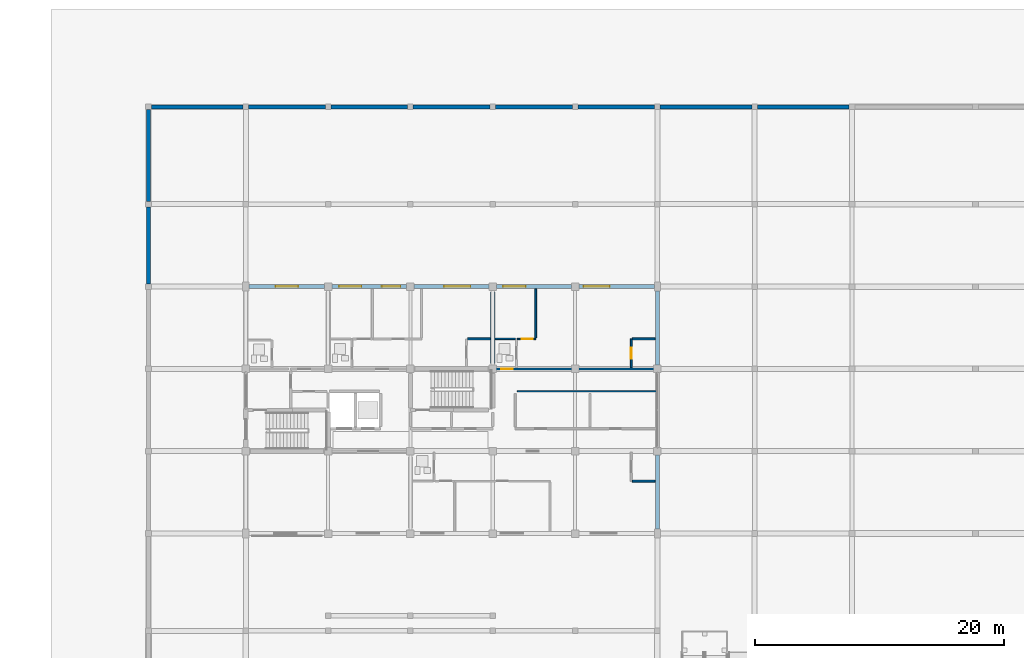
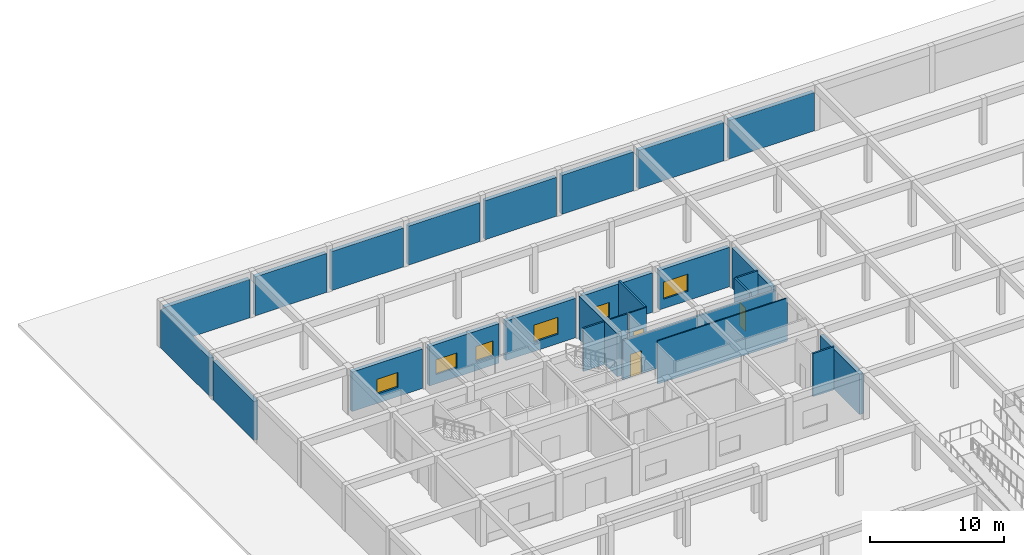
# One storey, part 56 of 75: 27 walls, 6 windows, 3 doors, 9 openings.
"""IFC4 building model written with IfcOpenShell, lengths in metres."""

from ifc_helpers import new_model, si_unit, direction, frame, frame_2d, origin, place, context, subcontext, project, spatial, rectangle, extrude, material, layer, layer_set, type_object, element, fill, save


model = new_model("IFC4")

# Units and contexts
model_context = context("Model", 3, precision=1e-05, world=origin(), true_north=direction((0.0, 1.0)))
body_context = subcontext(model_context, "Body", "Model", "MODEL_VIEW")
ifc_project = project(units=[si_unit("LENGTHUNIT", "METRE"), si_unit("AREAUNIT", "SQUARE_METRE"), si_unit("VOLUMEUNIT", "CUBIC_METRE"), si_unit("PLANEANGLEUNIT", "RADIAN"), si_unit("MASSUNIT", "GRAM", prefix="KILO")], contexts=[model_context])

# Site, building, storey
site_placement = place(None, origin())
site = spatial("IfcSite", under=ifc_project, at=site_placement, CompositionType="ELEMENT")
building_placement = place(site_placement, origin())
building = spatial("IfcBuilding", under=site, at=building_placement, Name="Kernevlak Ridge Housing Community", CompositionType="ELEMENT")
storey_placement = place(building_placement, origin())
storey = spatial("IfcBuildingStorey", under=building, at=storey_placement, Name="L00", CompositionType="ELEMENT", Elevation=0.0)

# Wall, opening, window
ifc_material_1 = material(Name="Concrete block masonry M10", Category="masonry")
ifc_layer_1 = layer(ifc_material_1, 0.340087890625, Name="Concrete block masonry M10")
ifc_layer_set_1 = layer_set([ifc_layer_1], Name="Concrete block masonry M10")
wall_type_1 = type_object("IfcWallType", Name="EW-04", PredefinedType="STANDARD", material=ifc_layer_set_1)
wall_1_placement = place(storey_placement, frame((15.85009765625, 95.800048828125, 0.0), z_axis=(0.0, 0.0, 1.0), x_axis=(1.0, 0.0, 0.0)))
wall_1 = element("IfcWall", 1, at=wall_1_placement, inside=storey, type_object=wall_type_1, Name="Exterior wall EW-04 L00 6", PredefinedType="STANDARD", context=body_context, shape_type="SweptSolid", body=[
    extrude(rectangle(XDim=6.0498046875, YDim=0.340087890625, at=frame_2d((3.02490234375, 0.0))), origin(), (0.0, 0.0, 1.0), 3.60009765625),
])
opening_1_placement = place(wall_1_placement, frame((2.14990234375, 0.0, 0.85009765625)))
opening_1 = element("IfcOpeningElement", 2, at=opening_1_placement, cuts=wall_1, Name="Opening WT-03", PredefinedType="OPENING", context=body_context, shape_type="SweptSolid", body=[
    extrude(rectangle(XDim=1.800048828125, YDim=1.35009765625, at=frame_2d((0.89990234375, 0.675048828125))), frame((0.0, 0.179931640625, 0.0), z_axis=(0.0, -1.0, 0.0), x_axis=(1.0, 0.0, 0.0)), (0.0, 0.0, 1.0), 0.360107421875),
])
ifc_material_2 = material(Name="Aluminium EN AW-6060 anodised and laminated glass", Category="aluminium")
window_type_1 = type_object("IfcWindowType", Name="WT-03", PartitioningType="SINGLE_PANEL", PredefinedType="WINDOW", material=ifc_material_2)
window_1_placement = place(opening_1_placement, origin())
window_1 = element("IfcWindow", 3, at=window_1_placement, inside=storey, type_object=window_type_1, Name="Window WT-03 L00 4", OverallHeight=1.35009765625, OverallWidth=1.800048828125, PartitioningType="SINGLE_PANEL", PredefinedType="WINDOW", context=body_context, shape_type="SweptSolid", body=[
    extrude(rectangle(XDim=1.800048828125, YDim=1.35009765625, at=frame_2d((0.89990234375, 0.675048828125))), frame((0.0, 0.030029296875, 0.0), z_axis=(0.0, -1.0, 0.0), x_axis=(1.0, 0.0, 0.0)), (0.0, 0.0, 1.0), 0.06005859375),
])
fill(opening_1, window_1)

# Wall, openings, windows
wall_2_placement = place(storey_placement, frame((22.5, 95.800048828125, 0.0), z_axis=(0.0, 0.0, 1.0), x_axis=(1.0, 0.0, 0.0)))
wall_2 = element("IfcWall", 4, at=wall_2_placement, inside=storey, type_object=wall_type_1, Name="Exterior wall EW-04 L00 7", PredefinedType="STANDARD", context=body_context, shape_type="SweptSolid", body=[
    extrude(rectangle(XDim=6.0, YDim=0.340087890625, at=frame_2d((3.0, 0.0))), origin(), (0.0, 0.0, 1.0), 3.60009765625),
])
opening_2_placement = place(wall_2_placement, frame((0.574951171875, 0.0, 0.85009765625)))
opening_2 = element("IfcOpeningElement", 5, at=opening_2_placement, cuts=wall_2, Name="Opening WT-03", PredefinedType="OPENING", context=body_context, shape_type="SweptSolid", body=[
    extrude(rectangle(XDim=1.800048828125, YDim=1.35009765625, at=frame_2d((0.89990234375, 0.675048828125))), frame((0.0, 0.179931640625, 0.0), z_axis=(0.0, -1.0, 0.0), x_axis=(1.0, 0.0, 0.0)), (0.0, 0.0, 1.0), 0.360107421875),
])
opening_3_placement = place(wall_2_placement, frame((4.0, 0.0, 0.85009765625)))
opening_3 = element("IfcOpeningElement", 6, at=opening_3_placement, cuts=wall_2, Name="Opening WT-02", PredefinedType="OPENING", context=body_context, shape_type="SweptSolid", body=[
    extrude(rectangle(XDim=1.5, YDim=1.35009765625, at=frame_2d((0.75, 0.675048828125))), frame((0.0, 0.179931640625, 0.0), z_axis=(0.0, -1.0, 0.0), x_axis=(1.0, 0.0, 0.0)), (0.0, 0.0, 1.0), 0.360107421875),
])
window_type_2 = type_object("IfcWindowType", Name="WT-02", PartitioningType="SINGLE_PANEL", PredefinedType="WINDOW", material=ifc_material_2)
window_2_placement = place(opening_3_placement, origin())
window_2 = element("IfcWindow", 7, at=window_2_placement, inside=storey, type_object=window_type_2, Name="Window WT-02 L00 6", OverallHeight=1.35009765625, OverallWidth=1.5, PartitioningType="SINGLE_PANEL", PredefinedType="WINDOW", context=body_context, shape_type="SweptSolid", body=[
    extrude(rectangle(XDim=1.5, YDim=1.35009765625, at=frame_2d((0.75, 0.675048828125))), frame((0.0, 0.030029296875, 0.0), z_axis=(0.0, -1.0, 0.0), x_axis=(1.0, 0.0, 0.0)), (0.0, 0.0, 1.0), 0.06005859375),
])
fill(opening_3, window_2)
window_3_placement = place(opening_2_placement, origin())
window_3 = element("IfcWindow", 8, at=window_3_placement, inside=storey, type_object=window_type_1, Name="Window WT-03 L00 5", OverallHeight=1.35009765625, OverallWidth=1.800048828125, PartitioningType="SINGLE_PANEL", PredefinedType="WINDOW", context=body_context, shape_type="SweptSolid", body=[
    extrude(rectangle(XDim=1.800048828125, YDim=1.35009765625, at=frame_2d((0.89990234375, 0.675048828125))), frame((0.0, 0.030029296875, 0.0), z_axis=(0.0, -1.0, 0.0), x_axis=(1.0, 0.0, 0.0)), (0.0, 0.0, 1.0), 0.06005859375),
])
fill(opening_2, window_3)

# Wall, opening, window
wall_3_placement = place(storey_placement, frame((29.10009765625, 95.800048828125, 0.0), z_axis=(0.0, 0.0, 1.0), x_axis=(1.0, 0.0, 0.0)))
wall_3 = element("IfcWall", 9, at=wall_3_placement, inside=storey, type_object=wall_type_1, Name="Exterior wall EW-04 L00 8", PredefinedType="STANDARD", context=body_context, shape_type="SweptSolid", body=[
    extrude(rectangle(XDim=6.0, YDim=0.340087890625, at=frame_2d((3.0, 0.0))), origin(), (0.0, 0.0, 1.0), 3.60009765625),
])
opening_4_placement = place(wall_3_placement, frame((2.39599609375, 0.0, 0.85009765625)))
opening_4 = element("IfcOpeningElement", 10, at=opening_4_placement, cuts=wall_3, Name="Opening WT-05", PredefinedType="OPENING", context=body_context, shape_type="SweptSolid", body=[
    extrude(rectangle(XDim=2.10009765625, YDim=1.550048828125, at=frame_2d((1.050048828125, 0.77490234375))), frame((0.0, 0.179931640625, 0.0), z_axis=(0.0, -1.0, 0.0), x_axis=(1.0, 0.0, 0.0)), (0.0, 0.0, 1.0), 0.360107421875),
])
window_type_3 = type_object("IfcWindowType", Name="WT-05", PartitioningType="SINGLE_PANEL", PredefinedType="WINDOW", material=ifc_material_2)
window_4_placement = place(opening_4_placement, origin())
window_4 = element("IfcWindow", 11, at=window_4_placement, inside=storey, type_object=window_type_3, Name="Window WT-05 L00 7", OverallHeight=1.550048828125, OverallWidth=2.10009765625, PartitioningType="SINGLE_PANEL", PredefinedType="WINDOW", context=body_context, shape_type="SweptSolid", body=[
    extrude(rectangle(XDim=2.10009765625, YDim=1.550048828125, at=frame_2d((1.050048828125, 0.77490234375))), frame((0.0, 0.030029296875, 0.0), z_axis=(0.0, -1.0, 0.0), x_axis=(1.0, 0.0, 0.0)), (0.0, 0.0, 1.0), 0.06005859375),
])
fill(opening_4, window_4)

wall_4_placement = place(storey_placement, frame((35.699951171875, 95.800048828125, 0.0), z_axis=(0.0, 0.0, 1.0), x_axis=(1.0, 0.0, 0.0)))
wall_4 = element("IfcWall", 12, at=wall_4_placement, inside=storey, type_object=wall_type_1, Name="Exterior wall EW-04 L00 9", PredefinedType="STANDARD", context=body_context, shape_type="SweptSolid", body=[
    extrude(rectangle(XDim=6.0, YDim=0.340087890625, at=frame_2d((3.0, 0.0))), origin(), (0.0, 0.0, 1.0), 3.60009765625),
])
opening_5_placement = place(wall_4_placement, frame((0.52490234375, 0.0, 0.85009765625)))
opening_5 = element("IfcOpeningElement", 13, at=opening_5_placement, cuts=wall_4, Name="Opening WT-03", PredefinedType="OPENING", context=body_context, shape_type="SweptSolid", body=[
    extrude(rectangle(XDim=1.800048828125, YDim=1.35009765625, at=frame_2d((0.89990234375, 0.675048828125))), frame((0.0, 0.179931640625, 0.0), z_axis=(0.0, -1.0, 0.0), x_axis=(1.0, 0.0, 0.0)), (0.0, 0.0, 1.0), 0.360107421875),
])
window_5_placement = place(opening_5_placement, origin())
window_5 = element("IfcWindow", 14, at=window_5_placement, inside=storey, type_object=window_type_1, Name="Window WT-03 L00 8", OverallHeight=1.35009765625, OverallWidth=1.800048828125, PartitioningType="SINGLE_PANEL", PredefinedType="WINDOW", context=body_context, shape_type="SweptSolid", body=[
    extrude(rectangle(XDim=1.800048828125, YDim=1.35009765625, at=frame_2d((0.89990234375, 0.675048828125))), frame((0.0, 0.030029296875, 0.0), z_axis=(0.0, -1.0, 0.0), x_axis=(1.0, 0.0, 0.0)), (0.0, 0.0, 1.0), 0.06005859375),
])
fill(opening_5, window_5)

wall_5_placement = place(storey_placement, frame((42.300048828125, 95.800048828125, 0.0), z_axis=(0.0, 0.0, 1.0), x_axis=(1.0, 0.0, 0.0)))
wall_5 = element("IfcWall", 15, at=wall_5_placement, inside=storey, type_object=wall_type_1, Name="Exterior wall EW-04 L00 10", PredefinedType="STANDARD", context=body_context, shape_type="SweptSolid", body=[
    extrude(rectangle(XDim=6.050048828125, YDim=0.340087890625, at=frame_2d((3.02490234375, 0.0))), origin(), (0.0, 0.0, 1.0), 3.60009765625),
])
opening_6_placement = place(wall_5_placement, frame((0.375, 0.0, 0.85009765625)))
opening_6 = element("IfcOpeningElement", 16, at=opening_6_placement, cuts=wall_5, Name="Opening WT-05", PredefinedType="OPENING", context=body_context, shape_type="SweptSolid", body=[
    extrude(rectangle(XDim=2.10009765625, YDim=1.550048828125, at=frame_2d((1.050048828125, 0.77490234375))), frame((0.0, 0.179931640625, 0.0), z_axis=(0.0, -1.0, 0.0), x_axis=(1.0, 0.0, 0.0)), (0.0, 0.0, 1.0), 0.360107421875),
])
window_6_placement = place(opening_6_placement, origin())
window_6 = element("IfcWindow", 17, at=window_6_placement, inside=storey, type_object=window_type_3, Name="Window WT-05 L00 9", OverallHeight=1.550048828125, OverallWidth=2.10009765625, PartitioningType="SINGLE_PANEL", PredefinedType="WINDOW", context=body_context, shape_type="SweptSolid", body=[
    extrude(rectangle(XDim=2.10009765625, YDim=1.550048828125, at=frame_2d((1.050048828125, 0.77490234375))), frame((0.0, 0.030029296875, 0.0), z_axis=(0.0, -1.0, 0.0), x_axis=(1.0, 0.0, 0.0)), (0.0, 0.0, 1.0), 0.06005859375),
])
fill(opening_6, window_6)

# Walls
for number, where, z_axis, x_axis, name in (
    (18, (48.60009765625, 76.375, 0.0), (0.0, 0.0, 1.0), (0.0, 1.0, 0.0), "Exterior wall EW-04 L00 13"),
    (19, (48.60009765625, 89.5, 0.0), (0.0, 0.0, 1.0), (0.0, 1.0, 0.0), "Exterior wall EW-04 L00 14"),
):
    element("IfcWall", number, at=place(storey_placement, frame(where, z_axis=z_axis, x_axis=x_axis)), inside=storey, type_object=wall_type_1, Name=name, PredefinedType="STANDARD", context=body_context, shape_type="SweptSolid", body=[
        extrude(rectangle(XDim=5.925048828125, YDim=0.340087890625, at=frame_2d((2.96240234375, 0.0))), origin(), (0.0, 0.0, 1.0), 3.64990234375),
    ])
wall_6_placement = place(storey_placement, frame((7.800048828125, 96.02490234375, 0.0), z_axis=(0.0, 0.0, 1.0), x_axis=(0.0, 1.0, 0.0)))
element("IfcWall", 20, at=wall_6_placement, inside=storey, type_object=wall_type_1, Name="Exterior wall EW-04 L00 866", PredefinedType="STANDARD", context=body_context, shape_type="SweptSolid", body=[
    extrude(rectangle(XDim=6.150146484375, YDim=0.340087890625, at=frame_2d((3.0751953125, 0.0))), origin(), (0.0, 0.0, 1.0), 3.550048828125),
])
for number, where, z_axis, x_axis, name in (
    (21, (7.800048828125, 102.625, 0.0), (0.0, 0.0, 1.0), (0.0, 1.0, 0.0), "Exterior wall EW-04 L00 867"),
    (22, (8.02490234375, 110.199951171875, 0.0), (0.0, 0.0, 1.0), (1.0, 0.0, 0.0), "Exterior wall EW-04 L00 868"),
):
    element("IfcWall", number, at=place(storey_placement, frame(where, z_axis=z_axis, x_axis=x_axis)), inside=storey, type_object=wall_type_1, Name=name, PredefinedType="STANDARD", context=body_context, shape_type="SweptSolid", body=[
        extrude(rectangle(XDim=7.35009765625, YDim=0.340087890625, at=frame_2d((3.675048828125, 0.0))), origin(), (0.0, 0.0, 1.0), 3.5),
    ])
wall_7_placement = place(storey_placement, frame((15.824951171875, 110.199951171875, 0.0), z_axis=(0.0, 0.0, 1.0), x_axis=(1.0, 0.0, 0.0)))
element("IfcWall", 23, at=wall_7_placement, inside=storey, type_object=wall_type_1, Name="Exterior wall EW-04 L00 869", PredefinedType="STANDARD", context=body_context, shape_type="SweptSolid", body=[
    extrude(rectangle(XDim=6.150146484375, YDim=0.340087890625, at=frame_2d((3.0751953125, 0.0))), origin(), (0.0, 0.0, 1.0), 3.550048828125),
])
wall_8_placement = place(storey_placement, frame((22.425048828125, 110.199951171875, 0.0), z_axis=(0.0, 0.0, 1.0), x_axis=(1.0, 0.0, 0.0)))
element("IfcWall", 24, at=wall_8_placement, inside=storey, type_object=wall_type_1, Name="Exterior wall EW-04 L00 870", PredefinedType="STANDARD", context=body_context, shape_type="SweptSolid", body=[
    extrude(rectangle(XDim=6.14990234375, YDim=0.340087890625, at=frame_2d((3.074951171875, 0.0))), origin(), (0.0, 0.0, 1.0), 3.550048828125),
])
wall_9_placement = place(storey_placement, frame((29.02490234375, 110.199951171875, 0.0), z_axis=(0.0, 0.0, 1.0), x_axis=(1.0, 0.0, 0.0)))
element("IfcWall", 25, at=wall_9_placement, inside=storey, type_object=wall_type_1, Name="Exterior wall EW-04 L00 871", PredefinedType="STANDARD", context=body_context, shape_type="SweptSolid", body=[
    extrude(rectangle(XDim=6.150146484375, YDim=0.340087890625, at=frame_2d((3.0751953125, 0.0))), origin(), (0.0, 0.0, 1.0), 3.550048828125),
])
for number, where, z_axis, x_axis, name in (
    (26, (35.625, 110.199951171875, 0.0), (0.0, 0.0, 1.0), (1.0, 0.0, 0.0), "Exterior wall EW-04 L00 872"),
    (27, (42.22509765625, 110.199951171875, 0.0), (0.0, 0.0, 1.0), (1.0, 0.0, 0.0), "Exterior wall EW-04 L00 873"),
):
    element("IfcWall", number, at=place(storey_placement, frame(where, z_axis=z_axis, x_axis=x_axis)), inside=storey, type_object=wall_type_1, Name=name, PredefinedType="STANDARD", context=body_context, shape_type="SweptSolid", body=[
        extrude(rectangle(XDim=6.14990234375, YDim=0.340087890625, at=frame_2d((3.074951171875, 0.0))), origin(), (0.0, 0.0, 1.0), 3.550048828125),
    ])
for number, where, z_axis, x_axis, name in (
    (28, (48.824951171875, 110.199951171875, 0.0), (0.0, 0.0, 1.0), (1.0, 0.0, 0.0), "Exterior wall EW-04 L00 874"),
    (29, (56.625, 110.199951171875, 0.0), (0.0, 0.0, 1.0), (1.0, 0.0, 0.0), "Exterior wall EW-04 L00 875"),
):
    element("IfcWall", number, at=place(storey_placement, frame(where, z_axis=z_axis, x_axis=x_axis)), inside=storey, type_object=wall_type_1, Name=name, PredefinedType="STANDARD", context=body_context, shape_type="SweptSolid", body=[
        extrude(rectangle(XDim=7.35009765625, YDim=0.340087890625, at=frame_2d((3.675048828125, 0.0))), origin(), (0.0, 0.0, 1.0), 3.5),
    ])

# Wall, opening, door
ifc_layer_2 = layer(ifc_material_1, 0.175048828125, Name="Concrete block masonry M10")
ifc_layer_set_2 = layer_set([ifc_layer_2], Name="Concrete block masonry M10")
wall_type_2 = type_object("IfcWallType", Name="PW-02", PredefinedType="PARTITIONING", material=ifc_layer_set_2)
wall_10_placement = place(storey_placement, frame((35.39990234375, 89.199951171875, 0.0), z_axis=(0.0, 0.0, 1.0), x_axis=(1.0, 0.0, 0.0)))
wall_10 = element("IfcWall", 30, at=wall_10_placement, inside=storey, type_object=wall_type_2, Name="Interior wall PW-02 WAL-INT-L00-0066", PredefinedType="PARTITIONING", context=body_context, shape_type="SweptSolid", body=[
    extrude(rectangle(XDim=13.2001953125, YDim=0.175048828125, at=frame_2d((6.60009765625, 0.0))), origin(), (0.0, 0.0, 1.0), 3.550048828125),
])
opening_7_placement = place(wall_10_placement, frame((0.669921875, 0.0, 0.0)))
opening_7 = element("IfcOpeningElement", 31, at=opening_7_placement, cuts=wall_10, Name="Opening D032", PredefinedType="OPENING", context=body_context, shape_type="SweptSolid", body=[
    extrude(rectangle(XDim=0.949951171875, YDim=2.10009765625, at=frame_2d((0.47509765625, 1.050048828125))), frame((0.0, 0.097412109375, 0.0), z_axis=(0.0, -1.0, 0.0), x_axis=(1.0, 0.0, 0.0)), (0.0, 0.0, 1.0), 0.195068359375),
])
ifc_material_3 = material(Name="Hardwood timber solid-core fire leaf", Category="wood")
door_type_1 = type_object("IfcDoorType", Name="DT-01", OperationType="NOTDEFINED", PredefinedType="DOOR", material=ifc_material_3)
door_1_placement = place(opening_7_placement, origin())
door_1 = element("IfcDoor", 32, at=door_1_placement, inside=storey, type_object=door_type_1, Name="Flat A0023 entrance fire door D032", OperationType="SINGLE_SWING_RIGHT", OverallHeight=2.10009765625, OverallWidth=0.949951171875, PredefinedType="DOOR", context=body_context, shape_type="SweptSolid", body=[
    extrude(rectangle(XDim=0.949951171875, YDim=2.10009765625, at=frame_2d((0.47509765625, 1.050048828125))), frame((0.0, 0.02490234375, 0.0), z_axis=(0.0, -1.0, 0.0), x_axis=(1.0, 0.0, 0.0)), (0.0, 0.0, 1.0), 0.050048828125),
])
fill(opening_7, door_1)

# Walls
ifc_layer_3 = layer(ifc_material_1, 0.14501953125, Name="Concrete block masonry M10")
ifc_layer_set_3 = layer_set([ifc_layer_3], Name="Concrete block masonry M10")
wall_type_3 = type_object("IfcWallType", Name="PW-03", PredefinedType="PARTITIONING", material=ifc_layer_set_3)
wall_11_placement = place(storey_placement, frame((38.85009765625, 91.679931640625, 0.0), z_axis=(0.0, 0.0, 1.0), x_axis=(0.0, 1.0, 0.0)))
element("IfcWall", 33, at=wall_11_placement, inside=storey, type_object=wall_type_3, Name="Interior wall PW-03 WAL-INT-L00-0072", PredefinedType="PARTITIONING", context=body_context, shape_type="SweptSolid", body=[
    extrude(rectangle(XDim=3.940185546875, YDim=0.14501953125, at=frame_2d((1.97021484375, 0.0))), origin(), (0.0, 0.0, 1.0), 3.919921875),
])
ifc_material_4 = material(Name="Gypsum plasterboard EN 520", Category="gypsum")
ifc_layer_4 = layer(ifc_material_4, 0.125, Name="Gypsum plasterboard EN 520")
ifc_layer_set_4 = layer_set([ifc_layer_4], Name="Gypsum plasterboard EN 520")
wall_type_4 = type_object("IfcWallType", Name="PW-04", PredefinedType="PARTITIONING", material=ifc_layer_set_4)
wall_12_placement = place(storey_placement, frame((35.5849609375, 91.60009765625, 0.0), z_axis=(0.0, 0.0, 1.0), x_axis=(1.0, 0.0, 0.0)))
element("IfcWall", 34, at=wall_12_placement, inside=storey, type_object=wall_type_4, Name="Interior wall PW-04 WAL-INT-L00-0068", PredefinedType="PARTITIONING", context=body_context, shape_type="SweptSolid", body=[
    extrude(rectangle(XDim=1.635009765625, YDim=0.125, at=frame_2d((0.8173828125, 0.0))), origin(), (0.0, 0.0, 1.0), 3.919921875),
])
ifc_layer_5 = layer(ifc_material_4, 0.155029296875, Name="Gypsum plasterboard EN 520")
ifc_layer_set_5 = layer_set([ifc_layer_5], Name="Gypsum plasterboard EN 520")
wall_type_5 = type_object("IfcWallType", Name="PW-05", PredefinedType="PARTITIONING", material=ifc_layer_set_5)
wall_13_placement = place(storey_placement, frame((46.58740234375, 80.199951171875, 0.0), z_axis=(0.0, 0.0, 1.0), x_axis=(1.0, 0.0, 0.0)))
element("IfcWall", 35, at=wall_13_placement, inside=storey, type_object=wall_type_5, Name="Interior wall PW-05 WAL-INT-L00-0048", PredefinedType="PARTITIONING", context=body_context, shape_type="SweptSolid", body=[
    extrude(rectangle(XDim=1.83251953125, YDim=0.155029296875, at=frame_2d((0.916259765625, 0.0))), origin(), (0.0, 0.0, 1.0), 3.919921875),
])
wall_14_placement = place(storey_placement, frame((33.387451171875, 91.60009765625, 0.0), z_axis=(0.0, 0.0, 1.0), x_axis=(1.0, 0.0, 0.0)))
element("IfcWall", 36, at=wall_14_placement, inside=storey, type_object=wall_type_5, Name="Interior wall PW-05 WAL-INT-L00-0061", PredefinedType="PARTITIONING", context=body_context, shape_type="SweptSolid", body=[
    extrude(rectangle(XDim=1.82763671875, YDim=0.155029296875, at=frame_2d((0.913818359375, 0.0))), origin(), (0.0, 0.0, 1.0), 3.919921875),
])

# Wall, opening, door
wall_15_placement = place(storey_placement, frame((46.5, 89.297607421875, 0.0), z_axis=(0.0, 0.0, 1.0), x_axis=(0.0, 1.0, 0.0)))
wall_15 = element("IfcWall", 37, at=wall_15_placement, inside=storey, type_object=wall_type_5, Name="Interior wall PW-05 WAL-INT-L00-0069", PredefinedType="PARTITIONING", context=body_context, shape_type="SweptSolid", body=[
    extrude(rectangle(XDim=2.302490234375, YDim=0.155029296875, at=frame_2d((1.1513671875, 0.0))), origin(), (0.0, 0.0, 1.0), 3.919921875),
])
opening_8_placement = place(wall_15_placement, frame((0.699951171875, 0.0, 0.0)))
opening_8 = element("IfcOpeningElement", 38, at=opening_8_placement, cuts=wall_15, Name="Opening D034", PredefinedType="OPENING", context=body_context, shape_type="SweptSolid", body=[
    extrude(rectangle(XDim=0.909912109375, YDim=2.139892578125, at=frame_2d((0.455078125, 1.06982421875))), frame((0.0, 0.08740234375, 0.0), z_axis=(0.0, -1.0, 0.0), x_axis=(1.0, 0.0, 0.0)), (0.0, 0.0, 1.0), 0.175048828125),
])
ifc_material_5 = material(Name="Hardwood timber leaf", Category="wood")
door_type_2 = type_object("IfcDoorType", Name="DT-31", OperationType="NOTDEFINED", PredefinedType="DOOR", material=ifc_material_5)
door_2_placement = place(opening_8_placement, origin())
door_2 = element("IfcDoor", 39, at=door_2_placement, inside=storey, type_object=door_type_2, Name="Flat A0023 kitchen door D034", OperationType="SINGLE_SWING_RIGHT", OverallHeight=2.139892578125, OverallWidth=0.909912109375, PredefinedType="DOOR", context=body_context, shape_type="SweptSolid", body=[
    extrude(rectangle(XDim=0.909912109375, YDim=2.139892578125, at=frame_2d((0.455078125, 1.06982421875))), frame((0.0, 0.02490234375, 0.0), z_axis=(0.0, -1.0, 0.0), x_axis=(1.0, 0.0, 0.0)), (0.0, 0.0, 1.0), 0.050048828125),
])
fill(opening_8, door_2)

# Walls
wall_16_placement = place(storey_placement, frame((46.58740234375, 91.60009765625, 0.0), z_axis=(0.0, 0.0, 1.0), x_axis=(1.0, 0.0, 0.0)))
element("IfcWall", 40, at=wall_16_placement, inside=storey, type_object=wall_type_5, Name="Interior wall PW-05 WAL-INT-L00-0070", PredefinedType="PARTITIONING", context=body_context, shape_type="SweptSolid", body=[
    extrude(rectangle(XDim=1.83251953125, YDim=0.155029296875, at=frame_2d((0.916259765625, 0.0))), origin(), (0.0, 0.0, 1.0), 3.919921875),
])
ifc_layer_6 = layer(ifc_material_4, 0.10498046875, Name="Gypsum plasterboard EN 520")
ifc_layer_set_6 = layer_set([ifc_layer_6], Name="Gypsum plasterboard EN 520")
wall_type_6 = type_object("IfcWallType", Name="PW-06", PredefinedType="PARTITIONING", material=ifc_layer_set_6)
wall_17_placement = place(storey_placement, frame((37.3798828125, 87.39990234375, 0.0), z_axis=(0.0, 0.0, 1.0), x_axis=(1.0, 0.0, 0.0)))
element("IfcWall", 41, at=wall_17_placement, inside=storey, type_object=wall_type_6, Name="Interior wall PW-06 WAL-INT-L00-0041", PredefinedType="PARTITIONING", context=body_context, shape_type="SweptSolid", body=[
    extrude(rectangle(XDim=11.2001953125, YDim=0.10498046875, at=frame_2d((5.60009765625, 0.0))), origin(), (0.0, 0.0, 1.0), 3.919921875),
])

# Wall, opening, door
wall_18_placement = place(storey_placement, frame((37.37255859375, 91.60009765625, 0.0), z_axis=(0.0, 0.0, 1.0), x_axis=(1.0, 0.0, 0.0)))
wall_18 = element("IfcWall", 42, at=wall_18_placement, inside=storey, type_object=wall_type_6, Name="Interior wall PW-06 WAL-INT-L00-0071", PredefinedType="PARTITIONING", context=body_context, shape_type="SweptSolid", body=[
    extrude(rectangle(XDim=1.4775390625, YDim=0.10498046875, at=frame_2d((0.73876953125, 0.0))), origin(), (0.0, 0.0, 1.0), 3.919921875),
])
opening_9_placement = place(wall_18_placement, frame((0.35009765625, 0.0, 0.0)))
opening_9 = element("IfcOpeningElement", 43, at=opening_9_placement, cuts=wall_18, Name="Opening D035", PredefinedType="OPENING", context=body_context, shape_type="SweptSolid", body=[
    extrude(rectangle(XDim=0.8701171875, YDim=2.080078125, at=frame_2d((0.43505859375, 1.0400390625))), frame((0.0, 0.0625, 0.0), z_axis=(0.0, -1.0, 0.0), x_axis=(1.0, 0.0, 0.0)), (0.0, 0.0, 1.0), 0.125),
])
door_type_3 = type_object("IfcDoorType", Name="DT-32", OperationType="NOTDEFINED", PredefinedType="DOOR", material=ifc_material_5)
door_3_placement = place(opening_9_placement, origin())
door_3 = element("IfcDoor", 44, at=door_3_placement, inside=storey, type_object=door_type_3, Name="Flat A0023 bedroom door D035", OperationType="SINGLE_SWING_LEFT", OverallHeight=2.080078125, OverallWidth=0.8701171875, PredefinedType="DOOR", context=body_context, shape_type="SweptSolid", body=[
    extrude(rectangle(XDim=0.8701171875, YDim=2.080078125, at=frame_2d((0.43505859375, 1.0400390625))), frame((0.0, 0.02490234375, 0.0), z_axis=(0.0, -1.0, 0.0), x_axis=(1.0, 0.0, 0.0)), (0.0, 0.0, 1.0), 0.050048828125),
])
fill(opening_9, door_3)

# Wall
ifc_material_6 = material(Name="Concrete C40/50", Category="concrete")
ifc_layer_7 = layer(ifc_material_6, 0.35009765625, Name="Concrete C40/50")
ifc_layer_set_7 = layer_set([ifc_layer_7], Name="Concrete C40/50")
wall_type_7 = type_object("IfcWallType", Name="SW-01", PredefinedType="SHEAR", material=ifc_layer_set_7)
wall_19_placement = place(storey_placement, frame((35.39990234375, 89.64990234375, 0.0), z_axis=(0.0, 0.0, 1.0), x_axis=(0.0, 1.0, 0.0)))
element("IfcWall", 45, at=wall_19_placement, inside=storey, type_object=wall_type_7, Name="Shear wall SW-01 Block A L00 20", PredefinedType="SHEAR", context=body_context, shape_type="SweptSolid", body=[
    extrude(rectangle(XDim=5.7001953125, YDim=0.35009765625, at=frame_2d((2.85009765625, 0.0))), origin(), (0.0, 0.0, 1.0), 3.919921875),
])

save(model, "model.ifc")
